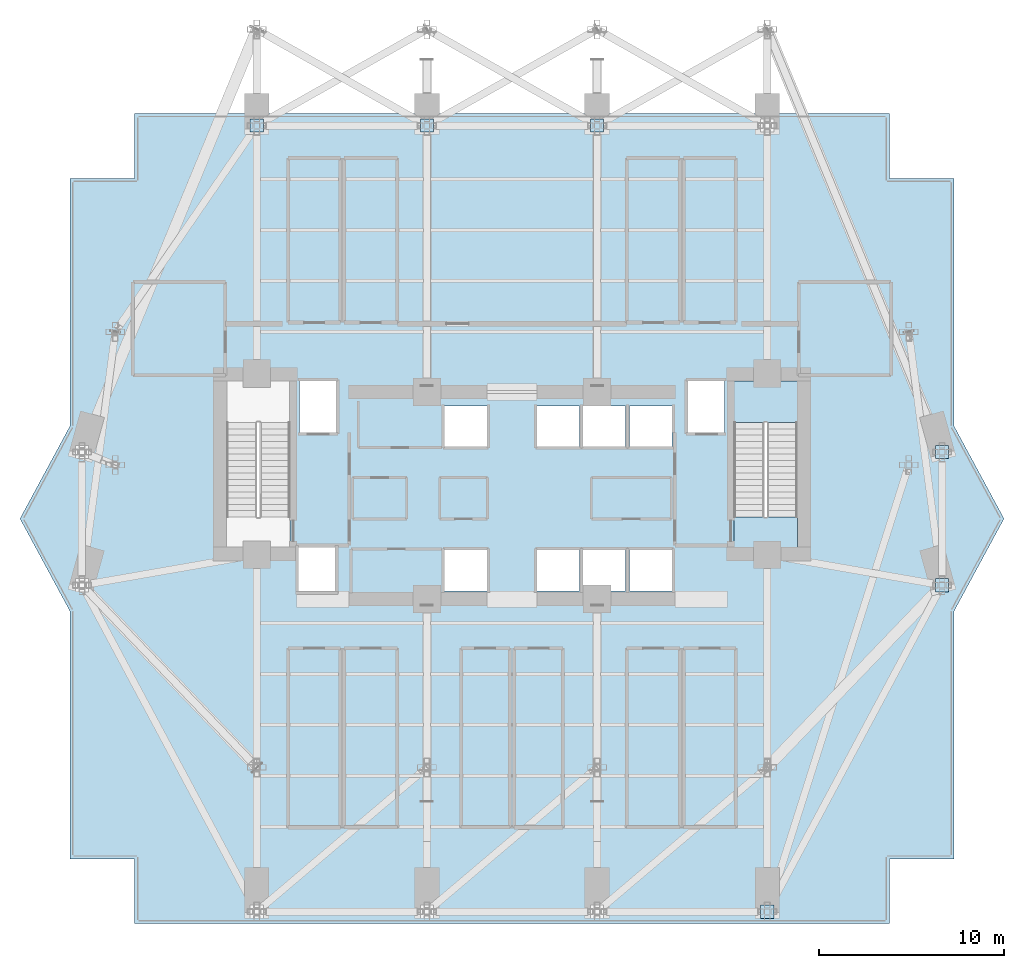
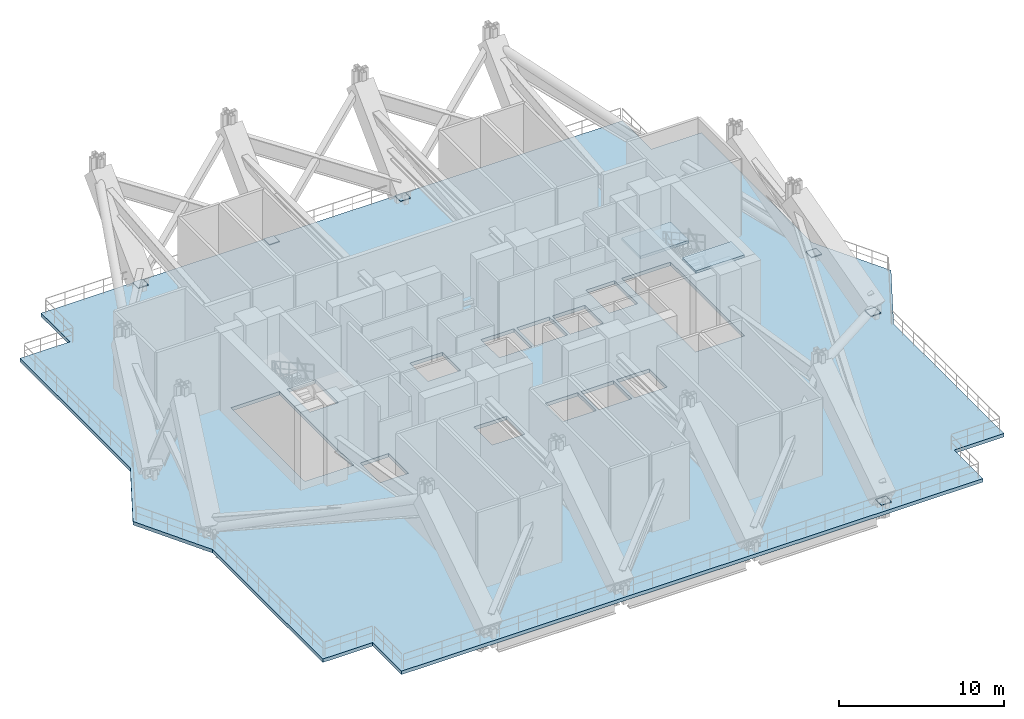
# One storey, part 8 of 18: 6 plates, 3 slabs, 1 element without a shape of its own.
"""IFC4 building model written with IfcOpenShell, lengths in metres."""

from ifc_helpers import new_model, si_unit, direction, frame, origin, origin_2d, place, context, subcontext, project, spatial, polyline, rectangle, outline, extrude, material, layer, layer_set, type_object, element, aggregate, save


model = new_model("IFC4")

# Units and contexts
model_context = context("Model", 3, precision=1e-05, world=origin(), true_north=direction((0.0, 1.0)))
body_context = subcontext(model_context, "Body", "Model", "MODEL_VIEW")
ifc_project = project(units=[si_unit("LENGTHUNIT", "METRE"), si_unit("AREAUNIT", "SQUARE_METRE"), si_unit("VOLUMEUNIT", "CUBIC_METRE"), si_unit("PLANEANGLEUNIT", "RADIAN"), si_unit("MASSUNIT", "GRAM", prefix="KILO")], contexts=[model_context])

# Site, building, storey
site_placement = place(None, origin())
site = spatial("IfcSite", under=ifc_project, at=site_placement, CompositionType="ELEMENT")
building_placement = place(site_placement, origin())
building = spatial("IfcBuilding", under=site, at=building_placement, Name="Zuhayl Quay Hotel", CompositionType="ELEMENT")
storey_placement = place(building_placement, frame((0.0, 0.0, 162.199951171875)))
storey = spatial("IfcBuildingStorey", under=building, at=storey_placement, Name="L41", CompositionType="ELEMENT", Elevation=162.199951171875)

# Slab
ifc_material_1 = material(Name="Concrete C45/55", Category="concrete")
ifc_layer_1 = layer(ifc_material_1, 0.260009765625, Name="Concrete C45/55", Category="concrete")
ifc_layer_set_1 = layer_set([ifc_layer_1], Name="Concrete C45/55")
slab_type_1 = type_object("IfcSlabType", Name="SL_FLOOR_260", PredefinedType="FLOOR", material=ifc_layer_set_1)
slab_1_placement = place(storey_placement, frame((0.0, 0.0, -0.260009765625)))
element("IfcSlab", 1, at=slab_1_placement, inside=storey, type_object=slab_type_1, Name="L41 Structural Floor Slab", PredefinedType="FLOOR", context=body_context, shape_type="SweptSolid", body=[
    extrude(outline(polyline([(-20.39990234375, -15.39990234375), (20.39990234375, -15.39990234375), (20.39990234375, -11.89990234375), (23.89990234375, -11.89990234375), (23.89990234375, 1.5), (26.60009765625, 6.5), (23.89990234375, 11.5), (23.89990234375, 24.89990234375), (20.39990234375, 24.89990234375), (20.39990234375, 28.39990234375), (-20.39990234375, 28.39990234375), (-20.39990234375, 24.89990234375), (-23.89990234375, 24.89990234375), (-23.89990234375, 11.5), (-26.60009765625, 6.5), (-23.89990234375, 1.5), (-23.89990234375, -11.89990234375), (-20.39990234375, -11.89990234375), (-20.39990234375, -15.39990234375)]), holes=[polyline([(-12.0, 4.949951171875), (-12.0, 13.949951171875), (-15.429931640625, 13.949951171875), (-15.429931640625, 4.949951171875), (-12.0, 4.949951171875)]), polyline([(15.429931640625, 4.949951171875), (15.429931640625, 13.949951171875), (12.0, 13.949951171875), (12.0, 4.949951171875), (15.429931640625, 4.949951171875)]), polyline([(-11.5, 11.14990234375), (-9.5, 11.14990234375), (-9.5, 13.949951171875), (-11.5, 13.949951171875), (-11.5, 11.14990234375)]), polyline([(9.5, 11.14990234375), (11.5, 11.14990234375), (11.5, 13.949951171875), (9.5, 13.949951171875), (9.5, 11.14990234375)]), polyline([(-3.64990234375, 2.60009765625), (-1.35009765625, 2.60009765625), (-1.35009765625, 4.800048828125), (-3.64990234375, 4.800048828125), (-3.64990234375, 2.60009765625)]), polyline([(1.35009765625, 2.60009765625), (3.64990234375, 2.60009765625), (3.64990234375, 4.800048828125), (1.35009765625, 4.800048828125), (1.35009765625, 2.60009765625)]), polyline([(-3.64990234375, 10.39990234375), (-1.35009765625, 10.39990234375), (-1.35009765625, 12.60009765625), (-3.64990234375, 12.60009765625), (-3.64990234375, 10.39990234375)]), polyline([(1.35009765625, 10.39990234375), (3.64990234375, 10.39990234375), (3.64990234375, 12.60009765625), (1.35009765625, 12.60009765625), (1.35009765625, 10.39990234375)]), polyline([(3.85009765625, 2.60009765625), (6.14990234375, 2.60009765625), (6.14990234375, 4.800048828125), (3.85009765625, 4.800048828125), (3.85009765625, 2.60009765625)]), polyline([(6.35009765625, 2.60009765625), (8.64990234375, 2.60009765625), (8.64990234375, 4.800048828125), (6.35009765625, 4.800048828125), (6.35009765625, 2.60009765625)]), polyline([(3.85009765625, 10.39990234375), (6.14990234375, 10.39990234375), (6.14990234375, 12.60009765625), (3.85009765625, 12.60009765625), (3.85009765625, 10.39990234375)]), polyline([(6.35009765625, 10.39990234375), (8.64990234375, 10.39990234375), (8.64990234375, 12.60009765625), (6.35009765625, 12.60009765625), (6.35009765625, 10.39990234375)]), polyline([(-11.550048828125, 2.550048828125), (-9.550048828125, 2.550048828125), (-9.550048828125, 4.949951171875), (-11.550048828125, 4.949951171875), (-11.550048828125, 2.550048828125)])]), origin(), (0.0, 0.0, 1.0), 0.260009765625),
])

# Stair, slabs
stair_type = type_object("IfcStairType", Name="ST_DOGLEG_TOWER", PredefinedType="HALF_TURN_STAIR", material=ifc_material_1)
stair_placement = place(storey_placement, origin())
stair = element("IfcStair", 2, at=stair_placement, inside=storey, type_object=stair_type, Name="L41 Smokeproof Exit Stair ST2", PredefinedType="HALF_TURN_STAIR")
ifc_layer_2 = layer(ifc_material_1, 0.199951171875, Name="Concrete C45/55", Category="concrete")
ifc_layer_set_2 = layer_set([ifc_layer_2], Name="Concrete C45/55")
slab_type_2 = type_object("IfcSlabType", Name="SL_STAIR_LANDING_200", PredefinedType="LANDING", material=ifc_layer_set_2)
slab_2_placement = place(storey_placement, frame((0.0, 0.0, 2.800048828125)))
slab_2 = element("IfcSlab", 3, at=slab_2_placement, type_object=slab_type_2, Name="ST2 landing 1", PredefinedType="LANDING", context=body_context, shape_type="SweptSolid", body=[
    extrude(outline(polyline([(15.429931640625, 11.68994140625), (15.429931640625, 13.949951171875), (12.0, 13.949951171875), (12.0, 11.68994140625), (15.429931640625, 11.68994140625)])), origin(), (0.0, 0.0, 1.0), 0.199951171875),
])
slab_3_placement = place(storey_placement, frame((0.0, 0.0, 5.800048828125)))
slab_3 = element("IfcSlab", 4, at=slab_3_placement, type_object=slab_type_2, Name="ST2 landing 2", PredefinedType="LANDING", context=body_context, shape_type="SweptSolid", body=[
    extrude(outline(polyline([(15.429931640625, 4.949951171875), (15.429931640625, 6.590087890625), (12.0, 6.590087890625), (12.0, 4.949951171875), (15.429931640625, 4.949951171875)])), origin(), (0.0, 0.0, 1.0), 0.199951171875),
])
aggregate(stair, [slab_2, slab_3])

# Plates
ifc_material_2 = material(Name="Steel ASTM A572 Grade 50", Category="steel")
ifc_layer_3 = layer(ifc_material_2, 0.0400390625, Name="Steel ASTM A572 Grade 50", Category="steel")
ifc_layer_set_3 = layer_set([ifc_layer_3], Name="Steel ASTM A572 Grade 50")
plate_type = type_object("IfcPlateType", Name="TP_CAP_PLATE_40", PredefinedType="USERDEFINED", material=ifc_layer_set_3)
for number, where, z_axis, x_axis, name in (
    (5, (13.800048828125, -14.75, 0.24609375), (0.0, 0.0, 1.0), (1.0, 0.0, 0.0), "Truss Node Cap Assembly KN1"),
    (6, (-13.800048828125, 27.75, 0.24609375), (0.0, 0.0, 1.0), (1.0, 0.0, 0.0), "Truss Node Cap Assembly KN1"),
    (7, (-4.60009765625, 27.75, 0.24609375), (0.0, 0.0, 1.0), (1.0, 0.0, 0.0), "Truss Node Cap Assembly KN1"),
    (8, (4.60009765625, 27.75, 0.24609375), (0.0, 0.0, 1.0), (1.0, 0.0, 0.0), "Truss Node Cap Assembly KN1"),
    (9, (23.25, 2.89990234375, 0.24609375), (0.0, 0.0, 1.0), (1.0, 0.0, 0.0), "Truss Node Cap Assembly KN1"),
    (10, (23.25, 10.10009765625, 0.24609375), (0.0, 0.0, 1.0), (1.0, 0.0, 0.0), "Truss Node Cap Assembly KN1"),
):
    element("IfcPlate", number, at=place(storey_placement, frame(where, z_axis=z_axis, x_axis=x_axis)), inside=storey, type_object=plate_type, Name=name, ObjectType="GUSSET PLATE", PredefinedType="USERDEFINED", context=body_context, shape_type="SweptSolid", body=[
        extrude(rectangle(XDim=0.708984375, YDim=0.708984375, at=origin_2d()), origin(), (0.0, 0.0, 1.0), 0.0400390625),
    ])

save(model, "model.ifc")
